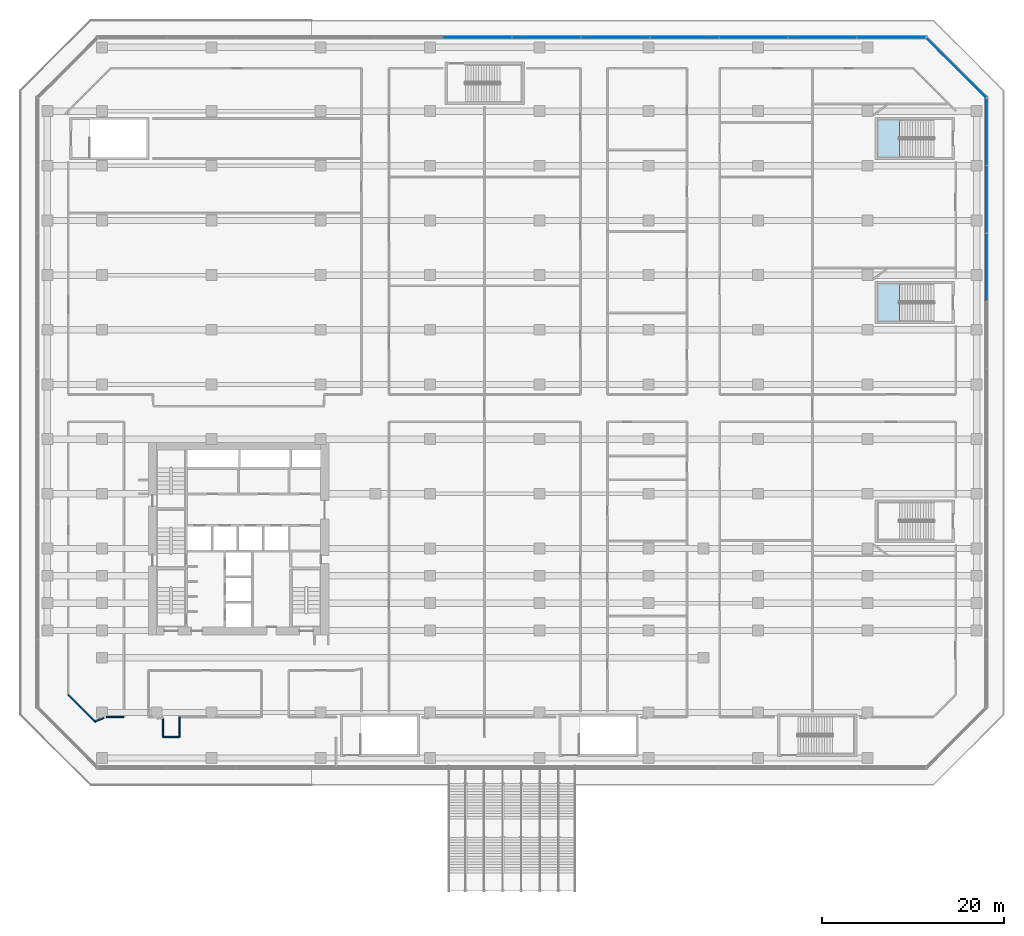
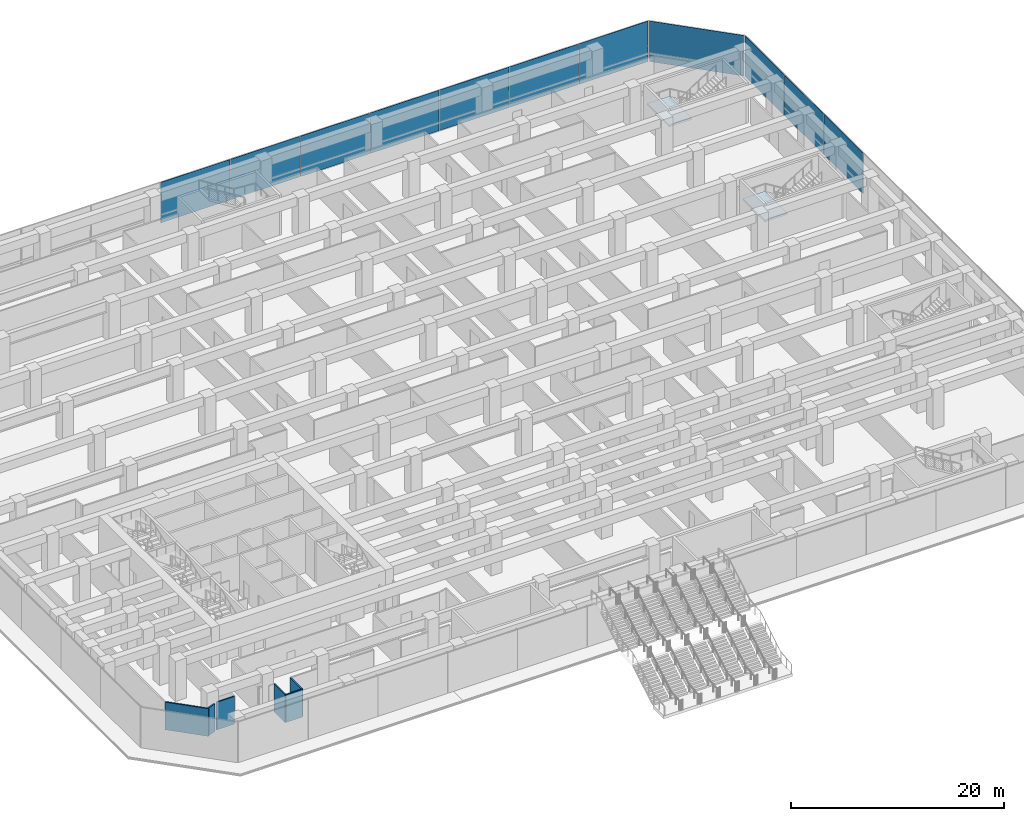
# One storey, part 26 of 40: 11 plates, 6 walls, 2 slabs, 5 elements without a shape of their own.
"""IFC4 building model written with IfcOpenShell, lengths in metres."""

from ifc_helpers import new_model, si_unit, direction, frame, frame_2d, origin, origin_2d, place, context, subcontext, project, spatial, polyline, rectangle, outline, extrude, material, layer, layer_set, type_object, element, aggregate, save


model = new_model("IFC4")

# Units and contexts
model_context = context("Model", 3, precision=1e-05, world=origin(), true_north=direction((0.0, 1.0)))
body_context = subcontext(model_context, "Body", "Model", "MODEL_VIEW")
ifc_project = project(units=[si_unit("LENGTHUNIT", "METRE"), si_unit("AREAUNIT", "SQUARE_METRE"), si_unit("VOLUMEUNIT", "CUBIC_METRE"), si_unit("PLANEANGLEUNIT", "RADIAN"), si_unit("MASSUNIT", "GRAM", prefix="KILO")], contexts=[model_context])

# Site, building, storey
site_placement = place(None, origin())
site = spatial("IfcSite", under=ifc_project, at=site_placement, CompositionType="ELEMENT")
building_placement = place(site_placement, origin())
building = spatial("IfcBuilding", under=site, at=building_placement, Name="Welwitschia Terrace Campus", CompositionType="ELEMENT")
storey_placement = place(building_placement, frame((0.0, 0.0, 6.0)))
storey = spatial("IfcBuildingStorey", under=building, at=storey_placement, Name="L01", CompositionType="ELEMENT", Elevation=6.0)

# Curtain wall, plates
ifc_material_1 = material(Name="Bronze anodised aluminium", Category="aluminium")
ifc_layer_1 = layer(ifc_material_1, 0.14990234375)
ifc_layer_set_1 = layer_set([ifc_layer_1], Name="Bronze anodised aluminium")
curtain_wall_type = type_object("IfcCurtainWallType", Name="Curtain wall CW1 podium 7500", PredefinedType="NOTDEFINED", material=ifc_layer_set_1)
curtain_wall_1_placement = place(storey_placement, origin())
curtain_wall_1 = element("IfcCurtainWall", 1, at=curtain_wall_1_placement, inside=storey, type_object=curtain_wall_type, Name="CW L01.2.0", PredefinedType="NOTDEFINED")
ifc_material_2 = material(Name="Tinted bronze-grey glass", Category="glass")
ifc_layer_2 = layer(ifc_material_2, 0.035888671875)
ifc_layer_set_2 = layer_set([ifc_layer_2], Name="Tinted bronze-grey glass")
plate_type = type_object("IfcPlateType", Name="Glass panel 36 tinted", PredefinedType="CURTAIN_PANEL", material=ifc_layer_set_2)
plate_1_placement = place(storey_placement, frame((97.0849609375, 44.866455078125, 0.0), z_axis=(0.0, 0.0, 1.0), x_axis=(0.0, 1.0, 0.0)))
plate_1 = element("IfcPlate", 2, at=plate_1_placement, type_object=plate_type, Name="Panel L01.2.0.6", PredefinedType="CURTAIN_PANEL", context=body_context, shape_type="SweptSolid", body=[
    extrude(rectangle(XDim=7.353271484375, YDim=0.035888671875, at=origin_2d()), origin(), (0.0, 0.0, 1.0), 4.64990234375),
])
plate_2_placement = place(storey_placement, frame((97.0849609375, 52.299560546875, 0.0), z_axis=(0.0, 0.0, 1.0), x_axis=(0.0, 1.0, 0.0)))
plate_2 = element("IfcPlate", 3, at=plate_2_placement, type_object=plate_type, Name="Panel L01.2.0.7", PredefinedType="CURTAIN_PANEL", context=body_context, shape_type="SweptSolid", body=[
    extrude(rectangle(XDim=7.353271484375, YDim=0.035888671875, at=origin_2d()), origin(), (0.0, 0.0, 1.0), 4.64990234375),
])
plate_3_placement = place(storey_placement, frame((97.0849609375, 59.712890625, 0.0), z_axis=(0.0, 0.0, 1.0), x_axis=(0.0, 1.0, 0.0)))
plate_3 = element("IfcPlate", 4, at=plate_3_placement, type_object=plate_type, Name="Panel L01.2.0.8", PredefinedType="CURTAIN_PANEL", context=body_context, shape_type="SweptSolid", body=[
    extrude(rectangle(XDim=7.313232421875, YDim=0.035888671875, at=origin_2d()), origin(), (0.0, 0.0, 1.0), 4.64990234375),
])
aggregate(curtain_wall_1, [plate_1, plate_2, plate_3])

# Curtain wall, plate
curtain_wall_2_placement = place(storey_placement, origin())
curtain_wall_2 = element("IfcCurtainWall", 5, at=curtain_wall_2_placement, inside=storey, type_object=curtain_wall_type, Name="CW L01.3.0", PredefinedType="NOTDEFINED")
plate_4_placement = place(storey_placement, frame((93.76708984375, 66.76708984375, 0.0), z_axis=(0.0, 0.0, 1.0), x_axis=(-0.707106781187, 0.707106781187, 0.0)))
plate_4 = element("IfcPlate", 6, at=plate_4_placement, type_object=plate_type, Name="Panel L01.3.0.0", PredefinedType="CURTAIN_PANEL", context=body_context, shape_type="SweptSolid", body=[
    extrude(rectangle(XDim=9.22412109375, YDim=0.035888671875, at=origin_2d()), origin(), (0.0, 0.0, 1.0), 4.64990234375),
])
aggregate(curtain_wall_2, [plate_4])

# Curtain wall, plates
curtain_wall_3_placement = place(storey_placement, origin())
curtain_wall_3 = element("IfcCurtainWall", 7, at=curtain_wall_3_placement, inside=storey, type_object=curtain_wall_type, Name="CW L01.4.0", PredefinedType="NOTDEFINED")
plate_5_placement = place(storey_placement, frame((86.64208984375, 70.0849609375, 0.0), z_axis=(0.0, 0.0, 1.0), x_axis=(-1.0, 0.0, 0.0)))
plate_5 = element("IfcPlate", 8, at=plate_5_placement, type_object=plate_type, Name="Panel L01.4.0.0", PredefinedType="CURTAIN_PANEL", context=body_context, shape_type="SweptSolid", body=[
    extrude(rectangle(XDim=7.454833984375, YDim=0.035888671875, at=origin_2d()), origin(), (0.0, 0.0, 1.0), 4.64990234375),
])
plate_6_placement = place(storey_placement, frame((79.087158203125, 70.0849609375, 0.0), z_axis=(0.0, 0.0, 1.0), x_axis=(-1.0, 0.0, 0.0)))
plate_6 = element("IfcPlate", 9, at=plate_6_placement, type_object=plate_type, Name="Panel L01.4.0.1", PredefinedType="CURTAIN_PANEL", context=body_context, shape_type="SweptSolid", body=[
    extrude(rectangle(XDim=7.494873046875, YDim=0.035888671875, at=origin_2d()), origin(), (0.0, 0.0, 1.0), 4.64990234375),
])
plate_7_placement = place(storey_placement, frame((71.51220703125, 70.0849609375, 0.0), z_axis=(0.0, 0.0, 1.0), x_axis=(-1.0, 0.0, 0.0)))
plate_7 = element("IfcPlate", 10, at=plate_7_placement, type_object=plate_type, Name="Panel L01.4.0.2", PredefinedType="CURTAIN_PANEL", context=body_context, shape_type="SweptSolid", body=[
    extrude(rectangle(XDim=7.494873046875, YDim=0.035888671875, at=origin_2d()), origin(), (0.0, 0.0, 1.0), 4.64990234375),
])
plate_8_placement = place(storey_placement, frame((63.937255859375, 70.0849609375, 0.0), z_axis=(0.0, 0.0, 1.0), x_axis=(-1.0, 0.0, 0.0)))
plate_8 = element("IfcPlate", 11, at=plate_8_placement, type_object=plate_type, Name="Panel L01.4.0.3", PredefinedType="CURTAIN_PANEL", context=body_context, shape_type="SweptSolid", body=[
    extrude(rectangle(XDim=7.494873046875, YDim=0.035888671875, at=origin_2d()), origin(), (0.0, 0.0, 1.0), 4.64990234375),
])
plate_9_placement = place(storey_placement, frame((56.3623046875, 70.0849609375, 0.0), z_axis=(0.0, 0.0, 1.0), x_axis=(-1.0, 0.0, 0.0)))
plate_9 = element("IfcPlate", 12, at=plate_9_placement, type_object=plate_type, Name="Panel L01.4.0.4", PredefinedType="CURTAIN_PANEL", context=body_context, shape_type="SweptSolid", body=[
    extrude(rectangle(XDim=7.494873046875, YDim=0.035888671875, at=origin_2d()), origin(), (0.0, 0.0, 1.0), 4.64990234375),
])
plate_10_placement = place(storey_placement, frame((48.787353515625, 70.0849609375, 0.0), z_axis=(0.0, 0.0, 1.0), x_axis=(-1.0, 0.0, 0.0)))
plate_10 = element("IfcPlate", 13, at=plate_10_placement, type_object=plate_type, Name="Panel L01.4.0.5", PredefinedType="CURTAIN_PANEL", context=body_context, shape_type="SweptSolid", body=[
    extrude(rectangle(XDim=7.494873046875, YDim=0.035888671875, at=origin_2d()), origin(), (0.0, 0.0, 1.0), 4.64990234375),
])
plate_11_placement = place(storey_placement, frame((41.212646484375, 70.0849609375, 0.0), z_axis=(0.0, 0.0, 1.0), x_axis=(-1.0, 0.0, 0.0)))
plate_11 = element("IfcPlate", 14, at=plate_11_placement, type_object=plate_type, Name="Panel L01.4.0.6", PredefinedType="CURTAIN_PANEL", context=body_context, shape_type="SweptSolid", body=[
    extrude(rectangle(XDim=7.494873046875, YDim=0.035888671875, at=origin_2d()), origin(), (0.0, 0.0, 1.0), 4.64990234375),
])
aggregate(curtain_wall_3, [plate_5, plate_6, plate_7, plate_8, plate_9, plate_10, plate_11])

# Stair, slab
ifc_material_3 = material(Name="Concrete C40/50", Category="concrete")
stair_type = type_object("IfcStairType", Name="Stair 28R 179 W2000", PredefinedType="HALF_TURN_STAIR", material=ifc_material_3)
stair_1_placement = place(storey_placement, origin())
stair_1 = element("IfcStair", 15, at=stair_1_placement, inside=storey, type_object=stair_type, Name="L01 Podium stair P3", PredefinedType="HALF_TURN_STAIR")
ifc_material_4 = material(Name="Concrete C40/50", Category="concrete")
ifc_layer_3 = layer(ifc_material_4, 0.199951171875)
ifc_layer_set_3 = layer_set([ifc_layer_3], Name="Concrete C40/50")
slab_type = type_object("IfcSlabType", Name="Stair landing RC", PredefinedType="LANDING", material=ifc_layer_set_3)
slab_1_placement = place(storey_placement, frame((0.0, 0.0, 2.300048828125)))
slab_1 = element("IfcSlab", 16, at=slab_1_placement, type_object=slab_type, Name="P3 landing 1", PredefinedType="LANDING", context=body_context, shape_type="SweptSolid", body=[
    extrude(outline(polyline([(87.530029296875, 61.074951171875), (85.10009765625, 61.074951171875), (85.10009765625, 56.925048828125), (87.530029296875, 56.925048828125), (87.530029296875, 61.074951171875)])), origin(), (0.0, 0.0, 1.0), 0.199951171875),
])
aggregate(stair_1, [slab_1])

stair_2_placement = place(storey_placement, origin())
stair_2 = element("IfcStair", 17, at=stair_2_placement, inside=storey, type_object=stair_type, Name="L01 Podium stair P8", PredefinedType="HALF_TURN_STAIR")
slab_2_placement = place(storey_placement, frame((0.0, 0.0, 2.300048828125)))
slab_2 = element("IfcSlab", 18, at=slab_2_placement, type_object=slab_type, Name="P8 landing 1", PredefinedType="LANDING", context=body_context, shape_type="SweptSolid", body=[
    extrude(outline(polyline([(87.530029296875, 43.074951171875), (85.10009765625, 43.074951171875), (85.10009765625, 38.925048828125), (87.530029296875, 38.925048828125), (87.530029296875, 43.074951171875)])), origin(), (0.0, 0.0, 1.0), 0.199951171875),
])
aggregate(stair_2, [slab_2])

# Walls
ifc_material_5 = material(Name="Gypsum board on steel studs", Category="steel")
ifc_layer_4 = layer(ifc_material_5, 0.14990234375)
ifc_layer_set_4 = layer_set([ifc_layer_4], Name="Gypsum board on steel studs")
wall_type = type_object("IfcWallType", Name="Corridor partition 150 EI 30", PredefinedType="PARTITIONING", material=ifc_layer_set_4)
wall_1_placement = place(storey_placement, frame((-3.699951171875, -2.050048828125, 0.0), z_axis=(0.0, 0.0, 1.0), x_axis=(0.707106781187, -0.707106781187, 0.0)))
element("IfcWall", 19, at=wall_1_placement, inside=storey, type_object=wall_type, Name="Partition", PredefinedType="PARTITIONING", context=body_context, shape_type="SweptSolid", body=[
    extrude(rectangle(XDim=4.249267578125, YDim=0.14990234375, at=frame_2d((2.12451171875, 0.0))), origin(), (0.0, 0.0, 1.0), 3.179931640625),
])
wall_2_placement = place(storey_placement, frame((-0.780029296875, -4.969970703125, 0.0), z_axis=(0.0, 0.0, 1.0), x_axis=(0.940681994894, 0.339289528991, 0.0)))
element("IfcWall", 20, at=wall_2_placement, inside=storey, type_object=wall_type, Name="Partition", PredefinedType="PARTITIONING", context=body_context, shape_type="SweptSolid", body=[
    extrude(rectangle(XDim=1.03125, YDim=0.14990234375, at=frame_2d((0.515625, 0.0))), origin(), (0.0, 0.0, 1.0), 3.179931640625),
])
wall_3_placement = place(storey_placement, frame((0.4599609375, -4.5, 0.0), z_axis=(0.0, 0.0, 1.0), x_axis=(1.0, 0.0, 0.0)))
element("IfcWall", 21, at=wall_3_placement, inside=storey, type_object=wall_type, Name="Partition", PredefinedType="PARTITIONING", context=body_context, shape_type="SweptSolid", body=[
    extrude(rectangle(XDim=1.93994140625, YDim=0.14990234375, at=frame_2d((0.969970703125, 0.0))), origin(), (0.0, 0.0, 1.0), 3.179931640625),
])
wall_4_placement = place(storey_placement, frame((6.699951171875, -6.699951171875, 0.0), z_axis=(0.0, 0.0, 1.0), x_axis=(0.0, 1.0, 0.0)))
element("IfcWall", 22, at=wall_4_placement, inside=storey, type_object=wall_type, Name="Partition", PredefinedType="PARTITIONING", context=body_context, shape_type="SweptSolid", body=[
    extrude(rectangle(XDim=2.079833984375, YDim=0.14990234375, at=frame_2d((1.0400390625, 0.0))), origin(), (0.0, 0.0, 1.0), 3.179931640625),
])
wall_5_placement = place(storey_placement, frame((6.699951171875, -6.699951171875, 0.0), z_axis=(0.0, 0.0, 1.0), x_axis=(1.0, 0.0, 0.0)))
element("IfcWall", 23, at=wall_5_placement, inside=storey, type_object=wall_type, Name="Partition", PredefinedType="PARTITIONING", context=body_context, shape_type="SweptSolid", body=[
    extrude(rectangle(XDim=1.800048828125, YDim=0.14990234375, at=frame_2d((0.89990234375, 0.0))), origin(), (0.0, 0.0, 1.0), 3.179931640625),
])
wall_6_placement = place(storey_placement, frame((8.5, -6.699951171875, 0.0), z_axis=(0.0, 0.0, 1.0), x_axis=(0.0, 1.0, 0.0)))
element("IfcWall", 24, at=wall_6_placement, inside=storey, type_object=wall_type, Name="Partition", PredefinedType="PARTITIONING", context=body_context, shape_type="SweptSolid", body=[
    extrude(rectangle(XDim=2.199951171875, YDim=0.14990234375, at=frame_2d((1.10009765625, 0.0))), origin(), (0.0, 0.0, 1.0), 3.179931640625),
])

save(model, "model.ifc")
